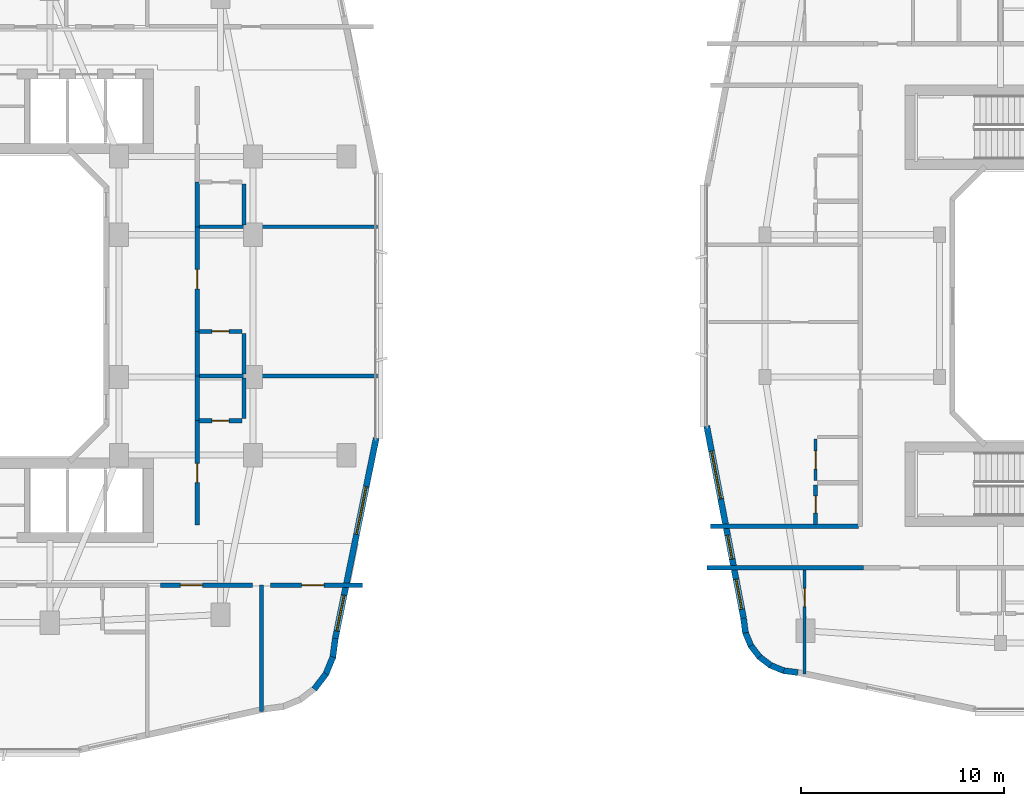
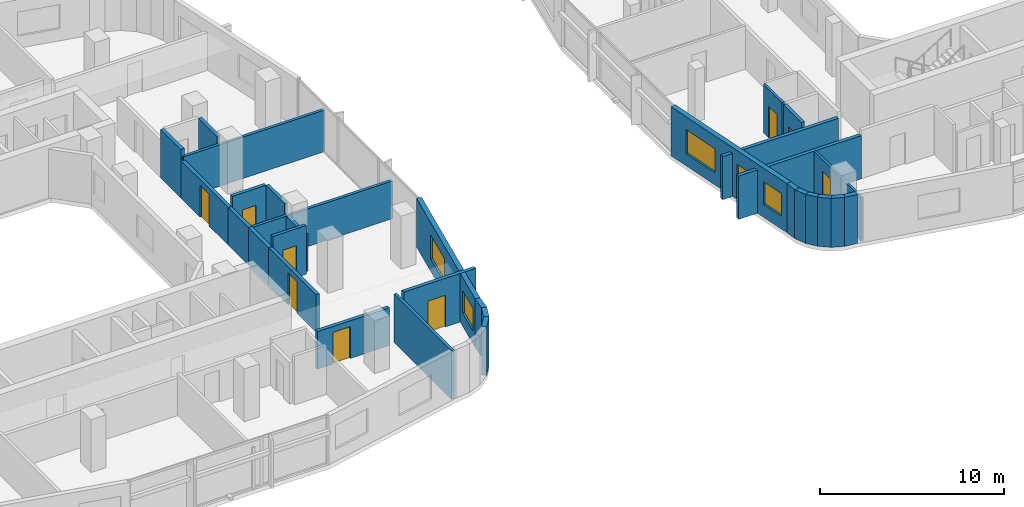
# One storey, part 15 of 27: 31 walls, 9 doors, 5 windows, 14 openings.
"""IFC4 building model written with IfcOpenShell, lengths in metres."""

from ifc_helpers import new_model, si_unit, derived_unit, direction, frame, frame_2d, origin, place, context, subcontext, project, spatial, rectangle, extrude, material, layer, layer_set, type_object, element, fill, save


model = new_model("IFC4")

# Units and contexts
model_context = context("Model", 3, precision=1e-05, world=origin(), true_north=direction((0.0, 1.0)))
body_context = subcontext(model_context, "Body", "Model", "MODEL_VIEW")
ifc_project = project(units=[si_unit("LENGTHUNIT", "METRE"), si_unit("AREAUNIT", "SQUARE_METRE"), si_unit("VOLUMEUNIT", "CUBIC_METRE"), si_unit("PLANEANGLEUNIT", "RADIAN"), si_unit("MASSUNIT", "GRAM", prefix="KILO"), derived_unit("THERMALTRANSMITTANCEUNIT", [(si_unit("POWERUNIT", "WATT"), 1), (si_unit("LENGTHUNIT", "METRE"), -2), (si_unit("THERMODYNAMICTEMPERATUREUNIT", "KELVIN"), -1)])], contexts=[model_context])

# Site, building, storey
site_placement = place(None, origin())
site = spatial("IfcSite", under=ifc_project, at=site_placement, CompositionType="ELEMENT")
building_placement = place(site_placement, origin())
building = spatial("IfcBuilding", under=site, at=building_placement, Name="Kivonza Crest Hotel", CompositionType="ELEMENT")
storey_placement = place(building_placement, frame((0.0, 0.0, 73.0)))
storey = spatial("IfcBuildingStorey", under=building, at=storey_placement, Name="L19", CompositionType="ELEMENT", Elevation=73.0)

# Walls
ifc_material_1 = material(Name="High-density acoustic masonry inter-tenancy wall", Category="masonry")
ifc_layer_1 = layer(ifc_material_1, 0.179931640625)
ifc_layer_set_1 = layer_set([ifc_layer_1], Name="High-density acoustic masonry inter-tenancy wall")
wall_type_1 = type_object("IfcWallType", Name="WL-ACOU-180", PredefinedType="SOLIDWALL", material=ifc_layer_set_1)
wall_1_placement = place(storey_placement, frame((36.219970703125, 5.02197265625, 0.0), z_axis=(0.0, 0.0, 1.0), x_axis=(0.0, 1.0, 0.0)))
element("IfcWall", 1, at=wall_1_placement, inside=storey, type_object=wall_type_1, Name="L19 interior partition WA-L19-T1S-SPDIV", PredefinedType="SOLIDWALL", context=body_context, shape_type="SweptSolid", body=[
    extrude(rectangle(XDim=6.22802734375, YDim=0.179931640625, at=frame_2d((3.114013671875, 0.0))), origin(), (0.0, 0.0, 1.0), 3.219970703125),
])
wall_2_placement = place(storey_placement, frame((33.050048828125, 21.5439453125, 0.0), z_axis=(0.0, 0.0, 1.0), x_axis=(1.0, 0.0, 0.0)))
element("IfcWall", 2, at=wall_2_placement, inside=storey, type_object=wall_type_1, Name="L19 interior partition WA-L19-T1E-DIV1", PredefinedType="SOLIDWALL", context=body_context, shape_type="SweptSolid", body=[
    extrude(rectangle(XDim=8.889892578125, YDim=0.179931640625, at=frame_2d((4.44482421875, 0.0))), origin(), (0.0, 0.0, 1.0), 2.4951171875),
])
wall_3_placement = place(storey_placement, frame((33.050048828125, 28.887939453125, 0.0), z_axis=(0.0, 0.0, 1.0), x_axis=(1.0, 0.0, 0.0)))
element("IfcWall", 3, at=wall_3_placement, inside=storey, type_object=wall_type_1, Name="L19 interior partition WA-L19-T1E-DIV2", PredefinedType="SOLIDWALL", context=body_context, shape_type="SweptSolid", body=[
    extrude(rectangle(XDim=8.889892578125, YDim=0.179931640625, at=frame_2d((4.44482421875, 0.0))), origin(), (0.0, 0.0, 1.0), 2.7451171875),
])

# Wall, opening, door
ifc_material_2 = material(Name="Autoclaved aerated concrete blockwork", Category="masonry")
ifc_layer_2 = layer(ifc_material_2, 0.219970703125)
ifc_layer_set_2 = layer_set([ifc_layer_2], Name="Autoclaved aerated concrete blockwork")
wall_type_2 = type_object("IfcWallType", Name="WL-ACOU-220", PredefinedType="SOLIDWALL", material=ifc_layer_set_2)
wall_4_placement = place(storey_placement, frame((31.25, 11.25, 0.0), z_axis=(0.0, 0.0, 1.0), x_axis=(1.0, 0.0, 0.0)))
wall_4 = element("IfcWall", 4, at=wall_4_placement, inside=storey, type_object=wall_type_2, Name="L19 interior partition WA-L19-Z1-BRD1-N", PredefinedType="SOLIDWALL", context=body_context, shape_type="SweptSolid", body=[
    extrude(rectangle(XDim=4.52001953125, YDim=0.219970703125, at=frame_2d((2.260009765625, 0.0))), origin(), (0.0, 0.0, 1.0), 2.4951171875),
])
opening_1_placement = place(wall_4_placement, frame((0.968994140625, 0.0, 0.0)))
opening_1 = element("IfcOpeningElement", 5, at=opening_1_placement, cuts=wall_4, Name="Opening DF-60M", PredefinedType="OPENING", context=body_context, shape_type="SweptSolid", body=[
    extrude(rectangle(XDim=1.10009765625, YDim=2.10009765625, at=frame_2d((0.550048828125, 1.050048828125))), frame((0.0, 0.1201171875, 0.0), z_axis=(0.0, -1.0, 0.0), x_axis=(1.0, 0.0, 0.0)), (0.0, 0.0, 1.0), 0.239990234375),
])
ifc_material_3 = material(Name="Hardwood timber oak", Category="wood")
door_type_1 = type_object("IfcDoorType", Name="DR-FD60-1100", OperationType="NOTDEFINED", PredefinedType="DOOR", material=ifc_material_3)
door_1_placement = place(opening_1_placement, frame((1.10009765625, 0.0, 0.0), z_axis=(0.0, 0.0, 1.0), x_axis=(-1.0, 0.0, 0.0)))
door_1 = element("IfcDoor", 6, at=door_1_placement, inside=storey, type_object=door_type_1, Name="L19 Zone 1 Executive Meeting Office door", OperationType="SINGLE_SWING_RIGHT", OverallHeight=2.10009765625, OverallWidth=1.10009765625, PredefinedType="DOOR", context=body_context, shape_type="SweptSolid", body=[
    extrude(rectangle(XDim=1.10009765625, YDim=2.10009765625, at=frame_2d((0.550048828125, 1.050048828125))), frame((0.0, 0.02490234375, 0.0), z_axis=(0.0, -1.0, 0.0), x_axis=(1.0, 0.0, 0.0)), (0.0, 0.0, 1.0), 0.050048828125),
])
fill(opening_1, door_1)

wall_5_placement = place(storey_placement, frame((36.669921875, 11.25, 0.0), z_axis=(0.0, 0.0, 1.0), x_axis=(1.0, 0.0, 0.0)))
wall_5 = element("IfcWall", 7, at=wall_5_placement, inside=storey, type_object=wall_type_2, Name="L19 interior partition WA-L19-Z1-BRD2-N", PredefinedType="SOLIDWALL", context=body_context, shape_type="SweptSolid", body=[
    extrude(rectangle(XDim=4.52001953125, YDim=0.219970703125, at=frame_2d((2.260009765625, 0.0))), origin(), (0.0, 0.0, 1.0), 3.219970703125),
])
opening_2_placement = place(wall_5_placement, frame((1.529052734375, 0.0, 0.0)))
opening_2 = element("IfcOpeningElement", 8, at=opening_2_placement, cuts=wall_5, Name="Opening DF-60M", PredefinedType="OPENING", context=body_context, shape_type="SweptSolid", body=[
    extrude(rectangle(XDim=1.10009765625, YDim=2.10009765625, at=frame_2d((0.550048828125, 1.050048828125))), frame((0.0, 0.1201171875, 0.0), z_axis=(0.0, -1.0, 0.0), x_axis=(1.0, 0.0, 0.0)), (0.0, 0.0, 1.0), 0.239990234375),
])
door_2_placement = place(opening_2_placement, frame((1.10009765625, 0.0, 0.0), z_axis=(0.0, 0.0, 1.0), x_axis=(-1.0, 0.0, 0.0)))
door_2 = element("IfcDoor", 9, at=door_2_placement, inside=storey, type_object=door_type_1, Name="L19 Zone 1 Business Study Office door", OperationType="SINGLE_SWING_LEFT", OverallHeight=2.10009765625, OverallWidth=1.10009765625, PredefinedType="DOOR", context=body_context, shape_type="SweptSolid", body=[
    extrude(rectangle(XDim=1.10009765625, YDim=2.10009765625, at=frame_2d((0.550048828125, 1.050048828125))), frame((0.0, 0.02490234375, 0.0), z_axis=(0.0, -1.0, 0.0), x_axis=(1.0, 0.0, 0.0)), (0.0, 0.0, 1.0), 0.050048828125),
])
fill(opening_2, door_2)

# Wall
wall_6_placement = place(storey_placement, frame((33.050048828125, 19.343994140625, 0.0), z_axis=(0.0, 0.0, 1.0), x_axis=(0.0, 1.0, 0.0)))
element("IfcWall", 10, at=wall_6_placement, inside=storey, type_object=wall_type_2, Name="L19 interior partition WA-L19-E06-BCORR", PredefinedType="SOLIDWALL", context=body_context, shape_type="SweptSolid", body=[
    extrude(rectangle(XDim=2.199951171875, YDim=0.219970703125, at=frame_2d((1.10009765625, 0.0))), origin(), (0.0, 0.0, 1.0), 2.4951171875),
])

# Wall, opening, door
wall_7_placement = place(storey_placement, frame((33.050048828125, 14.199951171875, 0.0), z_axis=(0.0, 0.0, 1.0), x_axis=(0.0, 1.0, 0.0)))
wall_7 = element("IfcWall", 11, at=wall_7_placement, inside=storey, type_object=wall_type_2, Name="L19 interior partition WA-L19-E06-MCORR", PredefinedType="SOLIDWALL", context=body_context, shape_type="SweptSolid", body=[
    extrude(rectangle(XDim=5.14404296875, YDim=0.219970703125, at=frame_2d((2.572021484375, 0.0))), origin(), (0.0, 0.0, 1.0), 2.4951171875),
])
opening_3_placement = place(wall_7_placement, frame((2.096923828125, 0.0, 0.0)))
opening_3 = element("IfcOpeningElement", 12, at=opening_3_placement, cuts=wall_7, Name="Opening DU-60", PredefinedType="OPENING", context=body_context, shape_type="SweptSolid", body=[
    extrude(rectangle(XDim=0.949951171875, YDim=2.10009765625, at=frame_2d((0.47509765625, 1.050048828125))), frame((0.0, 0.1201171875, 0.0), z_axis=(0.0, -1.0, 0.0), x_axis=(1.0, 0.0, 0.0)), (0.0, 0.0, 1.0), 0.239990234375),
])
door_type_2 = type_object("IfcDoorType", Name="DR-UNIT-950", OperationType="NOTDEFINED", PredefinedType="DOOR", material=ifc_material_3)
door_3_placement = place(opening_3_placement, frame((0.949951171875, 0.0, 0.0), z_axis=(0.0, 0.0, 1.0), x_axis=(-1.0, 0.0, 0.0)))
door_3 = element("IfcDoor", 13, at=door_3_placement, inside=storey, type_object=door_type_2, Name="L19 E06 guest unit entrance fire door", OperationType="SINGLE_SWING_RIGHT", OverallHeight=2.10009765625, OverallWidth=0.949951171875, PredefinedType="DOOR", context=body_context, shape_type="SweptSolid", body=[
    extrude(rectangle(XDim=0.949951171875, YDim=2.10009765625, at=frame_2d((0.47509765625, 1.050048828125))), frame((0.0, 0.02490234375, 0.0), z_axis=(0.0, -1.0, 0.0), x_axis=(1.0, 0.0, 0.0)), (0.0, 0.0, 1.0), 0.050048828125),
])
fill(opening_3, door_3)

# Wall
wall_8_placement = place(storey_placement, frame((33.050048828125, 21.5439453125, 0.0), z_axis=(0.0, 0.0, 1.0), x_axis=(0.0, 1.0, 0.0)))
element("IfcWall", 14, at=wall_8_placement, inside=storey, type_object=wall_type_2, Name="L19 interior partition WA-L19-E07-BCORR", PredefinedType="SOLIDWALL", context=body_context, shape_type="SweptSolid", body=[
    extrude(rectangle(XDim=2.199951171875, YDim=0.219970703125, at=frame_2d((1.10009765625, 0.0))), origin(), (0.0, 0.0, 1.0), 2.4951171875),
])

# Wall, opening, door
wall_9_placement = place(storey_placement, frame((33.050048828125, 23.743896484375, 0.0), z_axis=(0.0, 0.0, 1.0), x_axis=(0.0, 1.0, 0.0)))
wall_9 = element("IfcWall", 15, at=wall_9_placement, inside=storey, type_object=wall_type_2, Name="L19 interior partition WA-L19-E07-MCORR", PredefinedType="SOLIDWALL", context=body_context, shape_type="SweptSolid", body=[
    extrude(rectangle(XDim=5.14404296875, YDim=0.219970703125, at=frame_2d((2.572021484375, 0.0))), origin(), (0.0, 0.0, 1.0), 2.4951171875),
])
opening_4_placement = place(wall_9_placement, frame((2.096923828125, 0.0, 0.0)))
opening_4 = element("IfcOpeningElement", 16, at=opening_4_placement, cuts=wall_9, Name="Opening DU-60", PredefinedType="OPENING", context=body_context, shape_type="SweptSolid", body=[
    extrude(rectangle(XDim=0.949951171875, YDim=2.10009765625, at=frame_2d((0.47509765625, 1.050048828125))), frame((0.0, 0.1201171875, 0.0), z_axis=(0.0, -1.0, 0.0), x_axis=(1.0, 0.0, 0.0)), (0.0, 0.0, 1.0), 0.239990234375),
])
door_4_placement = place(opening_4_placement, frame((0.949951171875, 0.0, 0.0), z_axis=(0.0, 0.0, 1.0), x_axis=(-1.0, 0.0, 0.0)))
door_4 = element("IfcDoor", 17, at=door_4_placement, inside=storey, type_object=door_type_2, Name="L19 E07 guest unit entrance fire door", OperationType="SINGLE_SWING_LEFT", OverallHeight=2.10009765625, OverallWidth=0.949951171875, PredefinedType="DOOR", context=body_context, shape_type="SweptSolid", body=[
    extrude(rectangle(XDim=0.949951171875, YDim=2.10009765625, at=frame_2d((0.47509765625, 1.050048828125))), frame((0.0, 0.02490234375, 0.0), z_axis=(0.0, -1.0, 0.0), x_axis=(1.0, 0.0, 0.0)), (0.0, 0.0, 1.0), 0.050048828125),
])
fill(opening_4, door_4)

# Walls
wall_10_placement = place(storey_placement, frame((33.050048828125, 28.887939453125, 0.0), z_axis=(0.0, 0.0, 1.0), x_axis=(0.0, 1.0, 0.0)))
element("IfcWall", 18, at=wall_10_placement, inside=storey, type_object=wall_type_2, Name="L19 interior partition WA-L19-E08-BCORR", PredefinedType="SOLIDWALL", context=body_context, shape_type="SweptSolid", body=[
    extrude(rectangle(XDim=2.199951171875, YDim=0.219970703125, at=frame_2d((1.10009765625, 0.0))), origin(), (0.0, 0.0, 1.0), 3.219970703125),
])
wall_11_placement = place(storey_placement, frame((58.159912109375, 12.10009765625, 0.0), z_axis=(0.0, 0.0, 1.0), x_axis=(1.0, 0.0, 0.0)))
element("IfcWall", 19, at=wall_11_placement, inside=storey, type_object=wall_type_2, Name="L19 interior partition WA-L19-A04-LCORR", PredefinedType="SOLIDWALL", context=body_context, shape_type="SweptSolid", body=[
    extrude(rectangle(XDim=7.690185546875, YDim=0.219970703125, at=frame_2d((3.84521484375, 0.0))), origin(), (0.0, 0.0, 1.0), 2.864990234375),
])
wall_12_placement = place(storey_placement, frame((58.320068359375, 14.139892578125, 0.0), z_axis=(0.0, 0.0, 1.0), x_axis=(1.0, 0.0, 0.0)))
element("IfcWall", 20, at=wall_12_placement, inside=storey, type_object=wall_type_2, Name="L19 interior partition WA-L19-T2W-ENDS", PredefinedType="SOLIDWALL", context=body_context, shape_type="SweptSolid", body=[
    extrude(rectangle(XDim=7.280029296875, YDim=0.219970703125, at=frame_2d((3.64013671875, 0.0))), origin(), (0.0, 0.0, 1.0), 2.864990234375),
])
ifc_material_4 = material(Name="Precast concrete C40/50", Category="concrete")
ifc_layer_3 = layer(ifc_material_4, 0.300048828125)
ifc_layer_set_3 = layer_set([ifc_layer_3], Name="Precast concrete C40/50")
wall_type_3 = type_object("IfcWallType", Name="WL-EXT-300", PredefinedType="STANDARD", material=ifc_layer_set_3)
wall_13_placement = place(storey_placement, frame((38.81201171875, 6.125, 0.0), z_axis=(0.0, 0.0, 1.0), x_axis=(0.608351047625, 0.793668068435, 0.0)))
element("IfcWall", 21, at=wall_13_placement, inside=storey, type_object=wall_type_3, Name="L19 T1 exterior insulated wall 13", PredefinedType="STANDARD", context=body_context, shape_type="SweptSolid", body=[
    extrude(rectangle(XDim=0.955078125, YDim=0.300048828125, at=frame_2d((0.4775390625, 0.0))), origin(), (0.0, 0.0, 1.0), 3.219970703125),
])
wall_14_placement = place(storey_placement, frame((39.368896484375, 6.833984375, 0.0), z_axis=(0.0, 0.0, 1.0), x_axis=(0.382344263057, 0.924019948111, 0.0)))
element("IfcWall", 22, at=wall_14_placement, inside=storey, type_object=wall_type_3, Name="L19 T1 exterior insulated wall 14", PredefinedType="STANDARD", context=body_context, shape_type="SweptSolid", body=[
    extrude(rectangle(XDim=0.95458984375, YDim=0.300048828125, at=frame_2d((0.477294921875, 0.0))), origin(), (0.0, 0.0, 1.0), 3.219970703125),
])
wall_15_placement = place(storey_placement, frame((39.72509765625, 7.6630859375, 0.0), z_axis=(0.0, 0.0, 1.0), x_axis=(0.130454512571, 0.991454295543, 0.0)))
element("IfcWall", 23, at=wall_15_placement, inside=storey, type_object=wall_type_3, Name="L19 T1 exterior insulated wall 15", PredefinedType="STANDARD", context=body_context, shape_type="SweptSolid", body=[
    extrude(rectangle(XDim=0.97314453125, YDim=0.300048828125, at=frame_2d((0.486572265625, 0.0))), origin(), (0.0, 0.0, 1.0), 3.219970703125),
])

# Wall, openings, windows
wall_16_placement = place(storey_placement, frame((39.85107421875, 8.6220703125, 0.0), z_axis=(0.0, 0.0, 1.0), x_axis=(0.199990901713, 0.979797754249, 0.0)))
wall_16 = element("IfcWall", 24, at=wall_16_placement, inside=storey, type_object=wall_type_3, Name="L19 T1 exterior insulated wall 16", PredefinedType="STANDARD", context=body_context, shape_type="SweptSolid", body=[
    extrude(rectangle(XDim=10.065185546875, YDim=0.300048828125, at=frame_2d((5.03271484375, 0.0))), origin(), (0.0, 0.0, 1.0), 3.219970703125),
])
opening_5_placement = place(wall_16_placement, frame((0.3779296875, 0.0, 0.85009765625)))
opening_5 = element("IfcOpeningElement", 25, at=opening_5_placement, cuts=wall_16, Name="Opening WN-03", PredefinedType="OPENING", context=body_context, shape_type="SweptSolid", body=[
    extrude(rectangle(XDim=1.800048828125, YDim=1.5, at=frame_2d((0.89990234375, 0.75))), frame((0.0, 0.16015625, 0.0), z_axis=(0.0, -1.0, 0.0), x_axis=(1.0, 0.0, 0.0)), (0.0, 0.0, 1.0), 0.320068359375),
])
opening_6_placement = place(wall_16_placement, frame((5.236083984375, 0.0, 0.800048828125)))
opening_6 = element("IfcOpeningElement", 26, at=opening_6_placement, cuts=wall_16, Name="Opening WN-05", PredefinedType="OPENING", context=body_context, shape_type="SweptSolid", body=[
    extrude(rectangle(XDim=2.39990234375, YDim=1.60009765625, at=frame_2d((1.199951171875, 0.800048828125))), frame((0.0, 0.16015625, 0.0), z_axis=(0.0, -1.0, 0.0), x_axis=(1.0, 0.0, 0.0)), (0.0, 0.0, 1.0), 0.320068359375),
])
ifc_material_5 = material(Name="Thermally broken bronze aluminium and low-E double glazing", Category="aluminium")
window_type_1 = type_object("IfcWindowType", Name="WN-180x150", PartitioningType="DOUBLE_PANEL_VERTICAL", PredefinedType="WINDOW", material=ifc_material_5)
window_1_placement = place(opening_5_placement, origin())
window_1 = element("IfcWindow", 27, at=window_1_placement, inside=storey, type_object=window_type_1, Name="L19 T1 facade window 16 bay 1", OverallHeight=1.5, OverallWidth=1.800048828125, PartitioningType="SINGLE_PANEL", PredefinedType="WINDOW", context=body_context, shape_type="SweptSolid", body=[
    extrude(rectangle(XDim=1.800048828125, YDim=1.5, at=frame_2d((0.89990234375, 0.75))), frame((0.0, 0.030029296875, 0.0), z_axis=(0.0, -1.0, 0.0), x_axis=(1.0, 0.0, 0.0)), (0.0, 0.0, 1.0), 0.06005859375),
])
fill(opening_5, window_1)
window_type_2 = type_object("IfcWindowType", Name="WN-240x160", PartitioningType="TRIPLE_PANEL_VERTICAL", PredefinedType="WINDOW", material=ifc_material_5)
window_2_placement = place(opening_6_placement, origin())
window_2 = element("IfcWindow", 28, at=window_2_placement, inside=storey, type_object=window_type_2, Name="L19 T1 facade window 16 bay 2", OverallHeight=1.60009765625, OverallWidth=2.39990234375, PartitioningType="SINGLE_PANEL", PredefinedType="WINDOW", context=body_context, shape_type="SweptSolid", body=[
    extrude(rectangle(XDim=2.39990234375, YDim=1.60009765625, at=frame_2d((1.199951171875, 0.800048828125))), frame((0.0, 0.030029296875, 0.0), z_axis=(0.0, -1.0, 0.0), x_axis=(1.0, 0.0, 0.0)), (0.0, 0.0, 1.0), 0.06005859375),
])
fill(opening_6, window_2)

# Walls
wall_17_placement = place(storey_placement, frame((59.947998046875, 9.626953125, 0.0), z_axis=(0.0, 0.0, 1.0), x_axis=(0.130255288807, -0.991480488834, 0.0)))
element("IfcWall", 29, at=wall_17_placement, inside=storey, type_object=wall_type_3, Name="L19 T2 exterior insulated wall 1", PredefinedType="STANDARD", context=body_context, shape_type="SweptSolid", body=[
    extrude(rectangle(XDim=0.72900390625, YDim=0.300048828125, at=frame_2d((0.364501953125, 0.0))), origin(), (0.0, 0.0, 1.0), 3.25),
])
for number, where, z_axis, x_axis, name in (
    (30, (60.02392578125, 8.955078125, 0.0), (0.0, 0.0, 1.0), (0.383546213491, -0.923521684703, 0.0), "L19 T2 exterior insulated wall 2"),
    (31, (60.279052734375, 8.31103515625, 0.0), (0.0, 0.0, 1.0), (0.608397189915, -0.79363269798, 0.0), "L19 T2 exterior insulated wall 3"),
    (32, (60.69091796875, 7.75390625, 0.0), (0.0, 0.0, 1.0), (0.79363269798, -0.608397189915, 0.0), "L19 T2 exterior insulated wall 4"),
    (33, (61.23388671875, 7.323974609375, 0.0), (0.0, 0.0, 1.0), (0.923685632463, -0.383151213466, 0.0), "L19 T2 exterior insulated wall 5"),
):
    element("IfcWall", number, at=place(storey_placement, frame(where, z_axis=z_axis, x_axis=x_axis)), inside=storey, type_object=wall_type_3, Name=name, PredefinedType="STANDARD", context=body_context, shape_type="SweptSolid", body=[
        extrude(rectangle(XDim=0.74609375, YDim=0.300048828125, at=frame_2d((0.373046875, 0.0))), origin(), (0.0, 0.0, 1.0), 3.25),
    ])
wall_18_placement = place(storey_placement, frame((61.868896484375, 7.047119140625, 0.0), z_axis=(0.0, 0.0, 1.0), x_axis=(0.991559404866, -0.129653178221, 0.0)))
element("IfcWall", 34, at=wall_18_placement, inside=storey, type_object=wall_type_3, Name="L19 T2 exterior insulated wall 6", PredefinedType="STANDARD", context=body_context, shape_type="SweptSolid", body=[
    extrude(rectangle(XDim=0.764404296875, YDim=0.300048828125, at=frame_2d((0.38232421875, 0.0))), origin(), (0.0, 0.0, 1.0), 3.25),
])

# Wall, openings, windows
wall_19_placement = place(storey_placement, frame((58.136962890625, 19.08203125, 0.0), z_axis=(0.0, 0.0, 1.0), x_axis=(0.188087874316, -0.982152203854, 0.0)))
wall_19 = element("IfcWall", 35, at=wall_19_placement, inside=storey, type_object=wall_type_3, Name="L19 T2 exterior insulated wall 36", PredefinedType="STANDARD", context=body_context, shape_type="SweptSolid", body=[
    extrude(rectangle(XDim=9.6337890625, YDim=0.300048828125, at=frame_2d((4.81689453125, 0.0))), origin(), (0.0, 0.0, 1.0), 3.25),
])
opening_7_placement = place(wall_19_placement, frame((1.2548828125, 0.0, 0.800048828125)))
opening_7 = element("IfcOpeningElement", 36, at=opening_7_placement, cuts=wall_19, Name="Opening WN-05", PredefinedType="OPENING", context=body_context, shape_type="SweptSolid", body=[
    extrude(rectangle(XDim=2.39990234375, YDim=1.60009765625, at=frame_2d((1.199951171875, 0.800048828125))), frame((0.0, 0.16015625, 0.0), z_axis=(0.0, -1.0, 0.0), x_axis=(1.0, 0.0, 0.0)), (0.0, 0.0, 1.0), 0.320068359375),
])
opening_8_placement = place(wall_19_placement, frame((5.469970703125, 0.0, 0.85009765625)))
opening_8 = element("IfcOpeningElement", 37, at=opening_8_placement, cuts=wall_19, Name="Opening WN-01", PredefinedType="OPENING", context=body_context, shape_type="SweptSolid", body=[
    extrude(rectangle(XDim=1.199951171875, YDim=1.5, at=frame_2d((0.60009765625, 0.75))), frame((0.0, 0.16015625, 0.0), z_axis=(0.0, -1.0, 0.0), x_axis=(1.0, 0.0, 0.0)), (0.0, 0.0, 1.0), 0.320068359375),
])
opening_9_placement = place(wall_19_placement, frame((7.681884765625, 0.0, 0.85009765625)))
opening_9 = element("IfcOpeningElement", 38, at=opening_9_placement, cuts=wall_19, Name="Opening WN-02", PredefinedType="OPENING", context=body_context, shape_type="SweptSolid", body=[
    extrude(rectangle(XDim=1.5, YDim=1.5, at=frame_2d((0.75, 0.75))), frame((0.0, 0.16015625, 0.0), z_axis=(0.0, -1.0, 0.0), x_axis=(1.0, 0.0, 0.0)), (0.0, 0.0, 1.0), 0.320068359375),
])
window_type_3 = type_object("IfcWindowType", Name="WN-120x150", PartitioningType="SINGLE_PANEL", PredefinedType="WINDOW", material=ifc_material_5)
window_3_placement = place(opening_8_placement, origin())
window_3 = element("IfcWindow", 39, at=window_3_placement, inside=storey, type_object=window_type_3, Name="L19 T2 facade window 36 bay 2", OverallHeight=1.5, OverallWidth=1.199951171875, PartitioningType="SINGLE_PANEL", PredefinedType="WINDOW", context=body_context, shape_type="SweptSolid", body=[
    extrude(rectangle(XDim=1.199951171875, YDim=1.5, at=frame_2d((0.60009765625, 0.75))), frame((0.0, 0.030029296875, 0.0), z_axis=(0.0, -1.0, 0.0), x_axis=(1.0, 0.0, 0.0)), (0.0, 0.0, 1.0), 0.06005859375),
])
fill(opening_8, window_3)
window_type_4 = type_object("IfcWindowType", Name="WN-150x150", PartitioningType="DOUBLE_PANEL_VERTICAL", PredefinedType="WINDOW", material=ifc_material_5)
window_4_placement = place(opening_9_placement, origin())
window_4 = element("IfcWindow", 40, at=window_4_placement, inside=storey, type_object=window_type_4, Name="L19 T2 facade window 36 bay 3", OverallHeight=1.5, OverallWidth=1.5, PartitioningType="SINGLE_PANEL", PredefinedType="WINDOW", context=body_context, shape_type="SweptSolid", body=[
    extrude(rectangle(XDim=1.5, YDim=1.5, at=frame_2d((0.75, 0.75))), frame((0.0, 0.030029296875, 0.0), z_axis=(0.0, -1.0, 0.0), x_axis=(1.0, 0.0, 0.0)), (0.0, 0.0, 1.0), 0.06005859375),
])
fill(opening_9, window_4)
window_5_placement = place(opening_7_placement, origin())
window_5 = element("IfcWindow", 41, at=window_5_placement, inside=storey, type_object=window_type_2, Name="L19 T2 facade window 36 bay 1", OverallHeight=1.60009765625, OverallWidth=2.39990234375, PartitioningType="SINGLE_PANEL", PredefinedType="WINDOW", context=body_context, shape_type="SweptSolid", body=[
    extrude(rectangle(XDim=2.39990234375, YDim=1.60009765625, at=frame_2d((1.199951171875, 0.800048828125))), frame((0.0, 0.030029296875, 0.0), z_axis=(0.0, -1.0, 0.0), x_axis=(1.0, 0.0, 0.0)), (0.0, 0.0, 1.0), 0.06005859375),
])
fill(opening_7, window_5)

# Wall, opening, door
ifc_material_6 = material(Name="Twin-stud acoustic gypsum board partition", Category="gypsum")
ifc_layer_4 = layer(ifc_material_6, 0.14990234375)
ifc_layer_set_4 = layer_set([ifc_layer_4], Name="Twin-stud acoustic gypsum board partition")
wall_type_4 = type_object("IfcWallType", Name="WL-PART-150", PredefinedType="PARTITIONING", material=ifc_layer_set_4)
wall_20_placement = place(storey_placement, frame((62.9599609375, 6.886962890625, 0.0), z_axis=(0.0, 0.0, 1.0), x_axis=(0.0, 1.0, 0.0)))
wall_20 = element("IfcWall", 42, at=wall_20_placement, inside=storey, type_object=wall_type_4, Name="L19 interior partition WP-L19-A04-BDW1", PredefinedType="PARTITIONING", context=body_context, shape_type="SweptSolid", body=[
    extrude(rectangle(XDim=5.113037109375, YDim=0.14990234375, at=frame_2d((2.556640625, 0.0))), origin(), (0.0, 0.0, 1.0), 2.864990234375),
])
opening_10_placement = place(wall_20_placement, frame((3.31005859375, 0.0, 0.0)))
opening_10 = element("IfcOpeningElement", 43, at=opening_10_placement, cuts=wall_20, Name="Opening DI-90", PredefinedType="OPENING", context=body_context, shape_type="SweptSolid", body=[
    extrude(rectangle(XDim=0.89990234375, YDim=2.10009765625, at=frame_2d((0.449951171875, 1.050048828125))), frame((0.0, 0.0849609375, 0.0), z_axis=(0.0, -1.0, 0.0), x_axis=(1.0, 0.0, 0.0)), (0.0, 0.0, 1.0), 0.169921875),
])
door_type_3 = type_object("IfcDoorType", Name="DR-INT-900", OperationType="NOTDEFINED", PredefinedType="DOOR", material=ifc_material_3)
door_5_placement = place(opening_10_placement, origin())
door_5 = element("IfcDoor", 44, at=door_5_placement, inside=storey, type_object=door_type_3, Name="L19 A04 bedroom 1 door", OperationType="SINGLE_SWING_LEFT", OverallHeight=2.10009765625, OverallWidth=0.89990234375, PredefinedType="DOOR", context=body_context, shape_type="SweptSolid", body=[
    extrude(rectangle(XDim=0.89990234375, YDim=2.10009765625, at=frame_2d((0.449951171875, 1.050048828125))), frame((0.0, 0.02490234375, 0.0), z_axis=(0.0, -1.0, 0.0), x_axis=(1.0, 0.0, 0.0)), (0.0, 0.0, 1.0), 0.050048828125),
])
fill(opening_10, door_5)

wall_21_placement = place(storey_placement, frame((63.5, 16.389892578125, 0.0), z_axis=(0.0, 0.0, 1.0), x_axis=(0.0, 1.0, 0.0)))
wall_21 = element("IfcWall", 45, at=wall_21_placement, inside=storey, type_object=wall_type_4, Name="L19 interior partition WP-L19-A06-KSVC", PredefinedType="PARTITIONING", context=body_context, shape_type="SweptSolid", body=[
    extrude(rectangle(XDim=2.050048828125, YDim=0.14990234375, at=frame_2d((1.02490234375, 0.0))), origin(), (0.0, 0.0, 1.0), 3.219970703125),
])
opening_11_placement = place(wall_21_placement, frame((0.574951171875, 0.0, 0.0)))
opening_11 = element("IfcOpeningElement", 46, at=opening_11_placement, cuts=wall_21, Name="Opening DI-90", PredefinedType="OPENING", context=body_context, shape_type="SweptSolid", body=[
    extrude(rectangle(XDim=0.89990234375, YDim=2.10009765625, at=frame_2d((0.449951171875, 1.050048828125))), frame((0.0, 0.0849609375, 0.0), z_axis=(0.0, -1.0, 0.0), x_axis=(1.0, 0.0, 0.0)), (0.0, 0.0, 1.0), 0.169921875),
])
door_6_placement = place(opening_11_placement, origin())
door_6 = element("IfcDoor", 47, at=door_6_placement, inside=storey, type_object=door_type_3, Name="L19 A06 apartment kitchen door", OperationType="SINGLE_SWING_RIGHT", OverallHeight=2.10009765625, OverallWidth=0.89990234375, PredefinedType="DOOR", context=body_context, shape_type="SweptSolid", body=[
    extrude(rectangle(XDim=0.89990234375, YDim=2.10009765625, at=frame_2d((0.449951171875, 1.050048828125))), frame((0.0, 0.02490234375, 0.0), z_axis=(0.0, -1.0, 0.0), x_axis=(1.0, 0.0, 0.0)), (0.0, 0.0, 1.0), 0.050048828125),
])
fill(opening_11, door_6)

ifc_material_7 = material(Name="Moisture-resistant plumbing chase partition wall", Category="gypsum")
ifc_layer_5 = layer(ifc_material_7, 0.199951171875)
ifc_layer_set_5 = layer_set([ifc_layer_5], Name="Moisture-resistant plumbing chase partition wall")
wall_type_5 = type_object("IfcWallType", Name="WL-PLUMB-200", PredefinedType="PLUMBINGWALL", material=ifc_layer_set_5)
wall_22_placement = place(storey_placement, frame((33.14990234375, 19.343994140625, 0.0), z_axis=(0.0, 0.0, 1.0), x_axis=(1.0, 0.0, 0.0)))
wall_22 = element("IfcWall", 48, at=wall_22_placement, inside=storey, type_object=wall_type_5, Name="L19 interior partition WW-L19-E06-BH", PredefinedType="PLUMBINGWALL", context=body_context, shape_type="SweptSolid", body=[
    extrude(rectangle(XDim=2.10009765625, YDim=0.199951171875, at=frame_2d((1.050048828125, 0.0))), origin(), (0.0, 0.0, 1.0), 3.219970703125),
])
opening_12_placement = place(wall_22_placement, frame((0.625, 0.0, 0.0)))
opening_12 = element("IfcOpeningElement", 49, at=opening_12_placement, cuts=wall_22, Name="Opening DI-85", PredefinedType="OPENING", context=body_context, shape_type="SweptSolid", body=[
    extrude(rectangle(XDim=0.85009765625, YDim=2.10009765625, at=frame_2d((0.425048828125, 1.050048828125))), frame((0.0, 0.10986328125, 0.0), z_axis=(0.0, -1.0, 0.0), x_axis=(1.0, 0.0, 0.0)), (0.0, 0.0, 1.0), 0.219970703125),
])
door_type_4 = type_object("IfcDoorType", Name="DR-INT-850", OperationType="NOTDEFINED", PredefinedType="DOOR", material=ifc_material_3)
door_7_placement = place(opening_12_placement, frame((0.85009765625, 0.0, 0.0), z_axis=(0.0, 0.0, 1.0), x_axis=(-1.0, 0.0, 0.0)))
door_7 = element("IfcDoor", 50, at=door_7_placement, inside=storey, type_object=door_type_4, Name="L19 E06 en-suite bathroom door", OperationType="SINGLE_SWING_LEFT", OverallHeight=2.10009765625, OverallWidth=0.85009765625, PredefinedType="DOOR", context=body_context, shape_type="SweptSolid", body=[
    extrude(rectangle(XDim=0.85009765625, YDim=2.10009765625, at=frame_2d((0.425048828125, 1.050048828125))), frame((0.0, 0.02490234375, 0.0), z_axis=(0.0, -1.0, 0.0), x_axis=(1.0, 0.0, 0.0)), (0.0, 0.0, 1.0), 0.050048828125),
])
fill(opening_12, door_7)

# Wall
wall_23_placement = place(storey_placement, frame((35.35009765625, 19.444091796875, 0.0), z_axis=(0.0, 0.0, 1.0), x_axis=(0.0, 1.0, 0.0)))
element("IfcWall", 51, at=wall_23_placement, inside=storey, type_object=wall_type_5, Name="L19 interior partition WW-L19-E06-BV", PredefinedType="PLUMBINGWALL", context=body_context, shape_type="SweptSolid", body=[
    extrude(rectangle(XDim=2.0, YDim=0.199951171875, at=frame_2d((1.0, 0.0))), origin(), (0.0, 0.0, 1.0), 2.4951171875),
])

# Wall, opening, door
wall_24_placement = place(storey_placement, frame((33.14990234375, 23.743896484375, 0.0), z_axis=(0.0, 0.0, 1.0), x_axis=(1.0, 0.0, 0.0)))
wall_24 = element("IfcWall", 52, at=wall_24_placement, inside=storey, type_object=wall_type_5, Name="L19 interior partition WW-L19-E07-BH", PredefinedType="PLUMBINGWALL", context=body_context, shape_type="SweptSolid", body=[
    extrude(rectangle(XDim=2.10009765625, YDim=0.199951171875, at=frame_2d((1.050048828125, 0.0))), origin(), (0.0, 0.0, 1.0), 3.219970703125),
])
opening_13_placement = place(wall_24_placement, frame((0.625, 0.0, 0.0)))
opening_13 = element("IfcOpeningElement", 53, at=opening_13_placement, cuts=wall_24, Name="Opening DI-85", PredefinedType="OPENING", context=body_context, shape_type="SweptSolid", body=[
    extrude(rectangle(XDim=0.85009765625, YDim=2.10009765625, at=frame_2d((0.425048828125, 1.050048828125))), frame((0.0, 0.10986328125, 0.0), z_axis=(0.0, -1.0, 0.0), x_axis=(1.0, 0.0, 0.0)), (0.0, 0.0, 1.0), 0.219970703125),
])
door_8_placement = place(opening_13_placement, origin())
door_8 = element("IfcDoor", 54, at=door_8_placement, inside=storey, type_object=door_type_4, Name="L19 E07 en-suite bathroom door", OperationType="SINGLE_SWING_RIGHT", OverallHeight=2.10009765625, OverallWidth=0.85009765625, PredefinedType="DOOR", context=body_context, shape_type="SweptSolid", body=[
    extrude(rectangle(XDim=0.85009765625, YDim=2.10009765625, at=frame_2d((0.425048828125, 1.050048828125))), frame((0.0, 0.02490234375, 0.0), z_axis=(0.0, -1.0, 0.0), x_axis=(1.0, 0.0, 0.0)), (0.0, 0.0, 1.0), 0.050048828125),
])
fill(opening_13, door_8)

# Walls
for number, where, z_axis, x_axis, name in (
    (55, (35.35009765625, 21.64404296875, 0.0), (0.0, 0.0, 1.0), (0.0, 1.0, 0.0), "L19 interior partition WW-L19-E07-BV"),
    (56, (35.35009765625, 28.988037109375, 0.0), (0.0, 0.0, 1.0), (0.0, 1.0, 0.0), "L19 interior partition WW-L19-E08-BV"),
):
    element("IfcWall", number, at=place(storey_placement, frame(where, z_axis=z_axis, x_axis=x_axis)), inside=storey, type_object=wall_type_5, Name=name, PredefinedType="PLUMBINGWALL", context=body_context, shape_type="SweptSolid", body=[
        extrude(rectangle(XDim=2.0, YDim=0.199951171875, at=frame_2d((1.0, 0.0))), origin(), (0.0, 0.0, 1.0), 3.219970703125),
    ])

# Wall, opening, door
wall_25_placement = place(storey_placement, frame((63.5, 14.239990234375, 0.0), z_axis=(0.0, 0.0, 1.0), x_axis=(0.0, 1.0, 0.0)))
wall_25 = element("IfcWall", 57, at=wall_25_placement, inside=storey, type_object=wall_type_5, Name="L19 interior partition WW-L19-A06-BSVC", PredefinedType="PLUMBINGWALL", context=body_context, shape_type="SweptSolid", body=[
    extrude(rectangle(XDim=1.949951171875, YDim=0.199951171875, at=frame_2d((0.97509765625, 0.0))), origin(), (0.0, 0.0, 1.0), 3.219970703125),
])
opening_14_placement = place(wall_25_placement, frame((0.550048828125, 0.0, 0.0)))
opening_14 = element("IfcOpeningElement", 58, at=opening_14_placement, cuts=wall_25, Name="Opening DI-85", PredefinedType="OPENING", context=body_context, shape_type="SweptSolid", body=[
    extrude(rectangle(XDim=0.85009765625, YDim=2.10009765625, at=frame_2d((0.425048828125, 1.050048828125))), frame((0.0, 0.10986328125, 0.0), z_axis=(0.0, -1.0, 0.0), x_axis=(1.0, 0.0, 0.0)), (0.0, 0.0, 1.0), 0.219970703125),
])
door_9_placement = place(opening_14_placement, origin())
door_9 = element("IfcDoor", 59, at=door_9_placement, inside=storey, type_object=door_type_4, Name="L19 A06 apartment bathroom door", OperationType="SINGLE_SWING_LEFT", OverallHeight=2.10009765625, OverallWidth=0.85009765625, PredefinedType="DOOR", context=body_context, shape_type="SweptSolid", body=[
    extrude(rectangle(XDim=0.85009765625, YDim=2.10009765625, at=frame_2d((0.425048828125, 1.050048828125))), frame((0.0, 0.02490234375, 0.0), z_axis=(0.0, -1.0, 0.0), x_axis=(1.0, 0.0, 0.0)), (0.0, 0.0, 1.0), 0.050048828125),
])
fill(opening_14, door_9)

save(model, "model.ifc")
